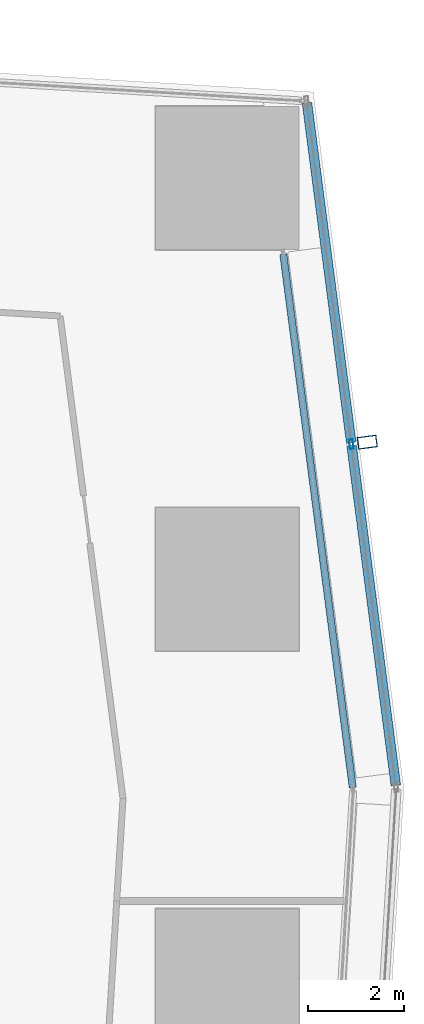
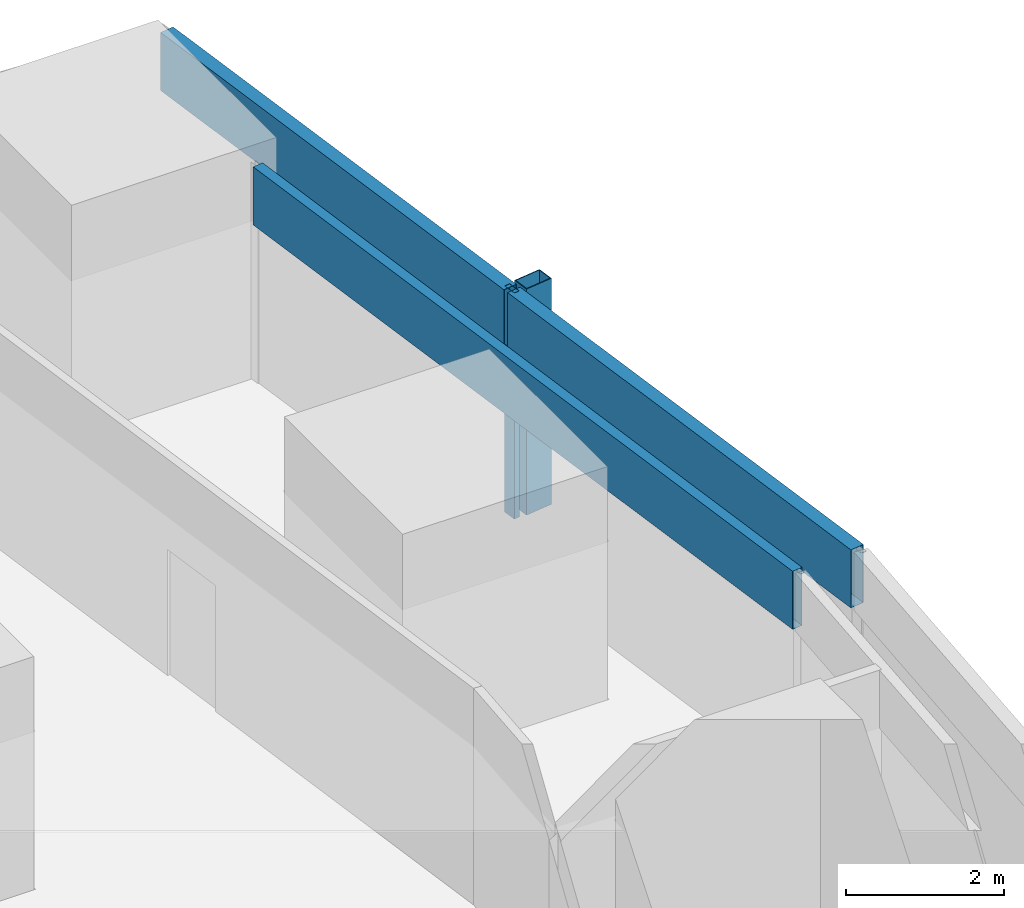
# One storey, part 26 of 39: 5 members, 2 elements without a shape of their own.
"""IFC4 building model written with IfcOpenShell, lengths in metres."""

from ifc_helpers import new_model, si_unit, direction, frame, origin, origin_2d, place, context, subcontext, project, spatial, hollow_rectangle, extrude, material, material_profile, profile_set, type_object, element, aggregate, save


model = new_model("IFC4")

# Units and contexts
model_context = context("Model", 3, precision=1e-05, world=origin(), true_north=direction((0.0, 1.0)))
body_context = subcontext(model_context, "Body", "Model", "MODEL_VIEW")
ifc_project = project(units=[si_unit("LENGTHUNIT", "METRE"), si_unit("AREAUNIT", "SQUARE_METRE"), si_unit("VOLUMEUNIT", "CUBIC_METRE"), si_unit("PLANEANGLEUNIT", "RADIAN"), si_unit("MASSUNIT", "GRAM", prefix="KILO")], contexts=[model_context])

# Site, building, storey
site_placement = place(None, origin())
site = spatial("IfcSite", under=ifc_project, at=site_placement, CompositionType="ELEMENT")
building_placement = place(site_placement, origin())
building = spatial("IfcBuilding", under=site, at=building_placement, Name="Rekha Terrace Tower", CompositionType="ELEMENT")
storey_placement = place(building_placement, frame((0.0, 0.0, 155.300048828125)))
storey = spatial("IfcBuildingStorey", under=building, at=storey_placement, Name="L39", CompositionType="ELEMENT", Elevation=155.300048828125)

# Curtain wall, member
ifc_material_1 = material(Name="Aluminium framing", Category="aluminium")
curtain_wall_type_1 = type_object("IfcCurtainWallType", Name="CW2 double skin outer glazing", PredefinedType="USERDEFINED", material=ifc_material_1)
curtain_wall_1_placement = place(storey_placement, origin())
curtain_wall_1 = element("IfcCurtainWall", 1, at=curtain_wall_1_placement, inside=storey, type_object=curtain_wall_type_1, Name="CW2 double skin outer glazing", ObjectType="DOUBLE SKIN OUTER GLAZING", PredefinedType="USERDEFINED")
ifc_material_2 = material(Name="Steel S355 with fluorocarbon finish", Category="steel")
ifc_material_profile_1 = material_profile(ifc_material_2, hollow_rectangle(XDim=0.25, YDim=0.39990234375, WallThickness=0.012451171875, at=origin_2d()), Name="RHS400x250x12.5")
ifc_profile_set_1 = profile_set([ifc_material_profile_1], Name="Steel S355 with fluorocarbon finish")
member_type_1 = type_object("IfcMemberType", Name="BL1 facade blade RHS 400 x 250", PredefinedType="USERDEFINED", material=ifc_profile_set_1)
member_1_placement = place(storey_placement, frame((70.131103515625, 53.2685546875, 0.0), z_axis=(0.0, 0.0, 1.0), x_axis=(-0.129119247945, 0.991629073702, 0.0)))
member_1 = element("IfcMember", 2, at=member_1_placement, type_object=member_type_1, Name="Facade blade", ObjectType="FACADE BLADE", PredefinedType="USERDEFINED", context=body_context, shape_type="SweptSolid", body=[
    extrude(hollow_rectangle(XDim=0.25, YDim=0.39990234375, WallThickness=0.012451171875, at=origin_2d()), origin(), (0.0, 0.0, 1.0), 3.5),
])

curtain_wall_type_2 = type_object("IfcCurtainWallType", Name="CW1 double skin inner glazing", PredefinedType="USERDEFINED", material=ifc_material_1)
curtain_wall_2_placement = place(storey_placement, origin())
curtain_wall_2 = element("IfcCurtainWall", 3, at=curtain_wall_2_placement, inside=storey, type_object=curtain_wall_type_2, Name="CW1 double skin inner glazing", ObjectType="DOUBLE SKIN INNER GLAZING", PredefinedType="USERDEFINED")
ifc_material_3 = material(Name="Insulated aluminium spandrel box", Category="aluminium")
ifc_material_profile_2 = material_profile(ifc_material_3, hollow_rectangle(XDim=0.14990234375, YDim=0.89990234375, WallThickness=0.0029296875, at=origin_2d()), Name="AL SPANDREL BOX 150x900")
ifc_profile_set_2 = profile_set([ifc_material_profile_2], Name="Insulated aluminium spandrel box")
member_type_2 = type_object("IfcMemberType", Name="CW1 spandrel transom 150 x 900", PredefinedType="USERDEFINED", material=ifc_profile_set_2)
member_2_placement = place(storey_placement, frame((69.827392578125, 46.0361328125, 3.050048828125), z_axis=(-0.129121381438, 0.991628795899, 0.0), x_axis=(-0.991628795899, -0.129121381438, 0.0)))
member_2 = element("IfcMember", 4, at=member_2_placement, type_object=member_type_2, Name="CW1 spandrel transom 1", ObjectType="TRANSOM", PredefinedType="USERDEFINED", context=body_context, shape_type="SweptSolid", body=[
    extrude(hollow_rectangle(XDim=0.14990234375, YDim=0.89990234375, WallThickness=0.0029296875, at=origin_2d()), origin(), (0.0, 0.0, 1.0), 11.261474609375),
])
aggregate(curtain_wall_2, [member_2])

# Member
ifc_material_4 = material(Name="Aluminium mullion section", Category="aluminium")
ifc_material_profile_3 = material_profile(ifc_material_4, hollow_rectangle(XDim=0.080078125, YDim=0.199951171875, WallThickness=0.00390625, at=origin_2d()), Name="AL RHS 80x200")
ifc_profile_set_3 = profile_set([ifc_material_profile_3], Name="Aluminium mullion section")
member_type_3 = type_object("IfcMemberType", Name="CW2 mullion RHS 80 x 200", PredefinedType="MULLION", material=ifc_profile_set_3)
member_3_placement = place(storey_placement, frame((69.798828125, 53.225341796875, 0.0), z_axis=(0.0, 0.0, 1.0), x_axis=(-0.991629186244, -0.129118383623, 0.0)))
member_3 = element("IfcMember", 5, at=member_3_placement, type_object=member_type_3, Name="CW2 mullion 2", PredefinedType="MULLION", context=body_context, shape_type="SweptSolid", body=[
    extrude(hollow_rectangle(XDim=0.080078125, YDim=0.199951171875, WallThickness=0.00390625, at=origin_2d()), origin(), (0.0, 0.0, 1.0), 3.5),
])

ifc_material_profile_4 = material_profile(ifc_material_3, hollow_rectangle(XDim=0.199951171875, YDim=0.89990234375, WallThickness=0.0029296875, at=origin_2d()), Name="AL SPANDREL BOX 200x900")
ifc_profile_set_4 = profile_set([ifc_material_profile_4], Name="Insulated aluminium spandrel box")
member_type_4 = type_object("IfcMemberType", Name="CW2 spandrel transom 200 x 900", PredefinedType="USERDEFINED", material=ifc_profile_set_4)
member_4_placement = place(storey_placement, frame((70.72900390625, 46.081787109375, 3.050048828125), z_axis=(-0.129125015962, 0.991628322635, 0.0), x_axis=(-0.991628322635, -0.129125015962, 0.0)))
member_4 = element("IfcMember", 6, at=member_4_placement, type_object=member_type_4, Name="CW2 spandrel transom 1", ObjectType="TRANSOM", PredefinedType="USERDEFINED", context=body_context, shape_type="SweptSolid", body=[
    extrude(hollow_rectangle(XDim=0.199951171875, YDim=0.89990234375, WallThickness=0.0029296875, at=origin_2d()), origin(), (0.0, 0.0, 1.0), 7.1640625),
])

member_5_placement = place(storey_placement, frame((69.793701171875, 53.26513671875, 3.050048828125), z_axis=(-0.12912937971, 0.9916277544, 0.0), x_axis=(-0.9916277544, -0.12912937971, 0.0)))
member_5 = element("IfcMember", 7, at=member_5_placement, type_object=member_type_4, Name="CW2 spandrel transom 2", ObjectType="TRANSOM", PredefinedType="USERDEFINED", context=body_context, shape_type="SweptSolid", body=[
    extrude(hollow_rectangle(XDim=0.199951171875, YDim=0.89990234375, WallThickness=0.0029296875, at=origin_2d()), origin(), (0.0, 0.0, 1.0), 7.163818359375),
])

aggregate(curtain_wall_1, [member_3, member_4, member_5, member_1])

save(model, "model.ifc")
